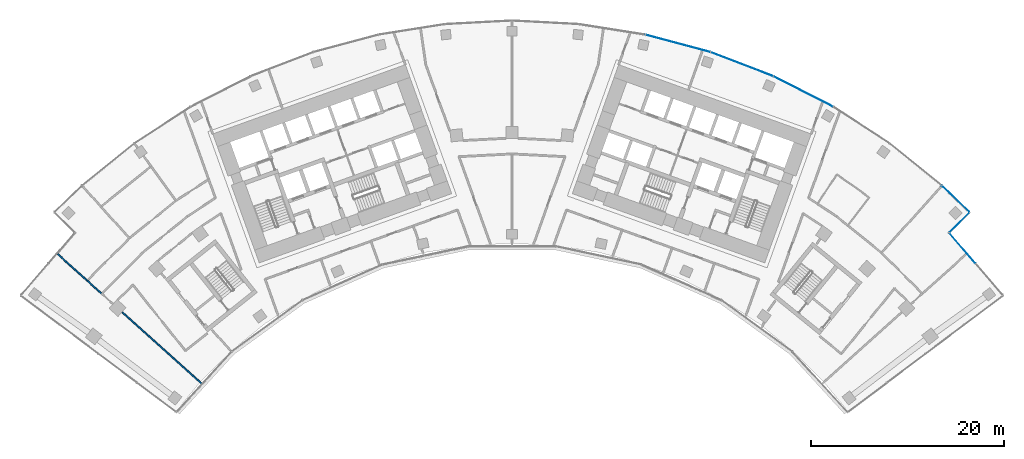
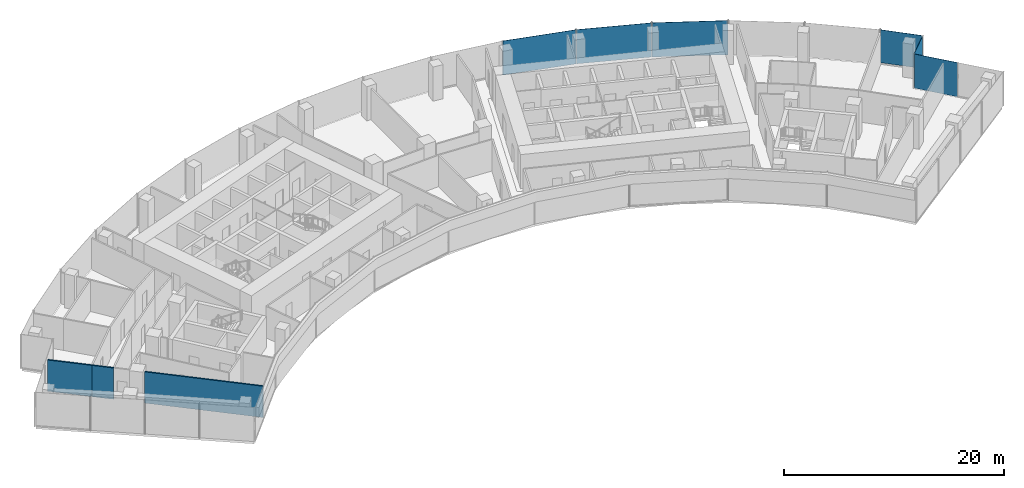
# One storey, part 12 of 21: 6 plates, 3 walls, 3 elements without a shape of their own.
"""IFC4 building model written with IfcOpenShell, lengths in metres."""

from ifc_helpers import new_model, si_unit, direction, frame, frame_2d, origin, origin_2d, place, context, subcontext, project, spatial, rectangle, extrude, material, layer, layer_set, type_object, element, aggregate, save


model = new_model("IFC4")

# Units and contexts
model_context = context("Model", 3, precision=1e-05, world=origin(), true_north=direction((0.0, 1.0)))
body_context = subcontext(model_context, "Body", "Model", "MODEL_VIEW")
ifc_project = project(units=[si_unit("LENGTHUNIT", "METRE"), si_unit("AREAUNIT", "SQUARE_METRE"), si_unit("VOLUMEUNIT", "CUBIC_METRE"), si_unit("PLANEANGLEUNIT", "RADIAN"), si_unit("MASSUNIT", "GRAM", prefix="KILO")], contexts=[model_context])

# Site, building, storey
site_placement = place(None, origin())
site = spatial("IfcSite", under=ifc_project, at=site_placement, CompositionType="ELEMENT")
building_placement = place(site_placement, origin())
building = spatial("IfcBuilding", under=site, at=building_placement, Name="Stone Belt Terrace Tower", CompositionType="ELEMENT")
storey_placement = place(building_placement, frame((0.0, 0.0, 151.60009765625)))
storey = spatial("IfcBuildingStorey", under=building, at=storey_placement, Name="L36", CompositionType="ELEMENT", Elevation=151.60009765625)

# Curtain wall, plates
ifc_material_1 = material(Name="Aluminium 6063-T6 anodised frame", Category="aluminium")
ifc_layer_1 = layer(ifc_material_1, 0.14990234375)
ifc_layer_set_1 = layer_set([ifc_layer_1], Name="CW-A unitised convex-face curtain wall")
curtain_wall_type_1 = type_object("IfcCurtainWallType", Name="CW-A unitised convex-face curtain wall", PredefinedType="NOTDEFINED", material=ifc_layer_set_1)
curtain_wall_1_placement = place(storey_placement, origin())
curtain_wall_1 = element("IfcCurtainWall", 1, at=curtain_wall_1_placement, inside=storey, type_object=curtain_wall_type_1, Name="CW-A convex face L36", PredefinedType="NOTDEFINED")
ifc_material_2 = material(Name="Clear double glazed unit")
ifc_layer_2 = layer(ifc_material_2, 0.031982421875)
ifc_layer_set_2 = layer_set([ifc_layer_2], Name="CW-A glass panel 32")
plate_type_1 = type_object("IfcPlateType", Name="CW-A glass panel 32", PredefinedType="CURTAIN_PANEL", material=ifc_layer_set_2)
plate_1_placement = place(storey_placement, frame((45.9765625, 48.109619140625, 0.14013671875), z_axis=(0.0, 0.0, 1.0), x_axis=(-0.723120883539, 0.690721497993, 0.0)))
plate_1 = element("IfcPlate", 2, at=plate_1_placement, type_object=plate_type_1, Name="CW-A panel 1.1", PredefinedType="CURTAIN_PANEL", context=body_context, shape_type="SweptSolid", body=[
    extrude(rectangle(XDim=3.888671875, YDim=0.031982421875, at=origin_2d()), origin(), (0.0, 0.0, 1.0), 3.659912109375),
])
plate_2_placement = place(storey_placement, frame((30.18310546875, 59.237548828125, 0.0), z_axis=(0.0, 0.0, 1.0), x_axis=(-0.891006524188, 0.45399049974, 0.0)))
plate_2 = element("IfcPlate", 3, at=plate_2_placement, type_object=plate_type_1, Name="CW-A panel 4.1", PredefinedType="CURTAIN_PANEL", context=body_context, shape_type="SweptSolid", body=[
    extrude(rectangle(XDim=6.90087890625, YDim=0.031982421875, at=origin_2d()), origin(), (0.0, 0.0, 1.0), 3.800048828125),
])
plate_3_placement = place(storey_placement, frame((23.82568359375, 62.068115234375, 0.0), z_axis=(0.0, 0.0, 1.0), x_axis=(-0.933580426497, 0.358367949545, 0.0)))
plate_3 = element("IfcPlate", 4, at=plate_3_placement, type_object=plate_type_1, Name="CW-A panel 5.1", PredefinedType="CURTAIN_PANEL", context=body_context, shape_type="SweptSolid", body=[
    extrude(rectangle(XDim=6.90087890625, YDim=0.031982421875, at=origin_2d()), origin(), (0.0, 0.0, 1.0), 3.800048828125),
])
plate_4_placement = place(storey_placement, frame((17.207275390625, 64.218505859375, 0.0), z_axis=(0.0, 0.0, 1.0), x_axis=(-0.965925826289, 0.258819045103, 0.0)))
plate_4 = element("IfcPlate", 5, at=plate_4_placement, type_object=plate_type_1, Name="CW-A panel 6.1", PredefinedType="CURTAIN_PANEL", context=body_context, shape_type="SweptSolid", body=[
    extrude(rectangle(XDim=6.90087890625, YDim=0.031982421875, at=origin_2d()), origin(), (0.0, 0.0, 1.0), 3.800048828125),
])
aggregate(curtain_wall_1, [plate_1, plate_2, plate_3, plate_4])

# Curtain wall, plate
ifc_layer_3 = layer(ifc_material_1, 0.14990234375)
ifc_layer_set_3 = layer_set([ifc_layer_3], Name="CW-C stick curtain wall, horn ends and notches")
curtain_wall_type_2 = type_object("IfcCurtainWallType", Name="CW-C stick curtain wall, horn ends and notches", PredefinedType="NOTDEFINED", material=ifc_layer_set_3)
curtain_wall_2_placement = place(storey_placement, origin())
curtain_wall_2 = element("IfcCurtainWall", 6, at=curtain_wall_2_placement, inside=storey, type_object=curtain_wall_type_2, Name="CW-C notch face L36", PredefinedType="NOTDEFINED")
ifc_layer_4 = layer(ifc_material_2, 0.028076171875)
ifc_layer_set_4 = layer_set([ifc_layer_4], Name="CW-C glass panel 28")
plate_type_2 = type_object("IfcPlateType", Name="CW-C glass panel 28", PredefinedType="CURTAIN_PANEL", material=ifc_layer_set_4)
plate_5_placement = place(storey_placement, frame((46.68896484375, 42.986572265625, 0.0), z_axis=(0.0, 0.0, 1.0), x_axis=(-0.652737860281, 0.757583847343, 0.0)))
plate_5 = element("IfcPlate", 7, at=plate_5_placement, type_object=plate_type_2, Name="CW-C panel 2.1", PredefinedType="CURTAIN_PANEL", context=body_context, shape_type="SweptSolid", body=[
    extrude(rectangle(XDim=4.12060546875, YDim=0.028076171875, at=origin_2d()), origin(), (0.0, 0.0, 1.0), 3.800048828125),
])
aggregate(curtain_wall_2, [plate_5])

curtain_wall_3_placement = place(storey_placement, origin())
curtain_wall_3 = element("IfcCurtainWall", 8, at=curtain_wall_3_placement, inside=storey, type_object=curtain_wall_type_2, Name="CW-C notch face L36", PredefinedType="NOTDEFINED")
plate_6_placement = place(storey_placement, frame((46.365966796875, 45.658447265625, 0.1201171875), z_axis=(0.0, 0.0, 1.0), x_axis=(0.711713447851, 0.702469905511, 0.0)))
plate_6 = element("IfcPlate", 9, at=plate_6_placement, type_object=plate_type_2, Name="CW-C panel 1.1", PredefinedType="CURTAIN_PANEL", context=body_context, shape_type="SweptSolid", body=[
    extrude(rectangle(XDim=2.859375, YDim=0.028076171875, at=origin_2d()), origin(), (0.0, 0.0, 1.0), 3.679931640625),
])
aggregate(curtain_wall_3, [plate_6])

# Walls
ifc_material_3 = material(Name="Gypsum board partition")
ifc_layer_5 = layer(ifc_material_3, 0.14990234375)
ifc_layer_set_5 = layer_set([ifc_layer_5], Name="PARTITION 150 EI 60")
wall_type = type_object("IfcWallType", Name="PARTITION 150 EI 60", PredefinedType="PARTITIONING", material=ifc_layer_set_5)
wall_1_placement = place(storey_placement, frame((-40.385986328125, 36.3642578125, 0.0), z_axis=(0.0, 0.0, 1.0), x_axis=(0.743128216334, -0.669149052221, 0.0)))
element("IfcWall", 10, at=wall_1_placement, inside=storey, type_object=wall_type, Name="L36/wall/i041", PredefinedType="PARTITIONING", context=body_context, shape_type="SweptSolid", body=[
    extrude(rectangle(XDim=11.048828125, YDim=0.14990234375, at=frame_2d((5.5244140625, 0.0))), origin(), (0.0, 0.0, 1.0), 3.47998046875),
])
wall_2_placement = place(storey_placement, frame((-44.032958984375, 39.64892578125, 0.0), z_axis=(0.0, 0.0, 1.0), x_axis=(0.742822489991, -0.669488422875, 0.0)))
element("IfcWall", 11, at=wall_2_placement, inside=storey, type_object=wall_type, Name="L36/wall/i042", PredefinedType="PARTITIONING", context=body_context, shape_type="SweptSolid", body=[
    extrude(rectangle(XDim=2.0341796875, YDim=0.14990234375, at=frame_2d((1.01708984375, 0.0))), origin(), (0.0, 0.0, 1.0), 3.47998046875),
])
wall_3_placement = place(storey_placement, frame((-47.09228515625, 42.40283203125, 0.0), z_axis=(0.0, 0.0, 1.0), x_axis=(0.743164720572, -0.669108509958, 0.0)))
element("IfcWall", 12, at=wall_3_placement, inside=storey, type_object=wall_type, Name="L36/wall/i043", PredefinedType="PARTITIONING", context=body_context, shape_type="SweptSolid", body=[
    extrude(rectangle(XDim=4.12744140625, YDim=0.14990234375, at=frame_2d((2.063720703125, 0.0))), origin(), (0.0, 0.0, 1.0), 3.47998046875),
])

save(model, "model.ifc")
